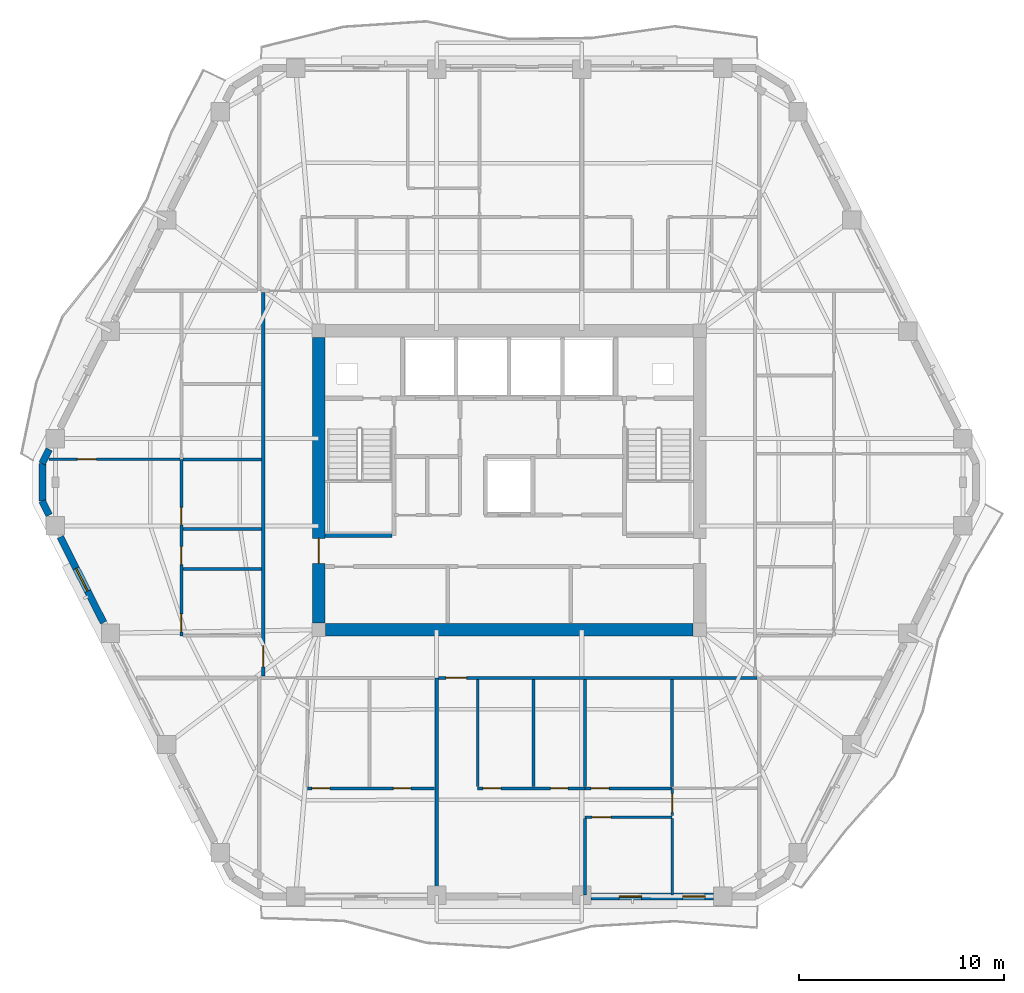
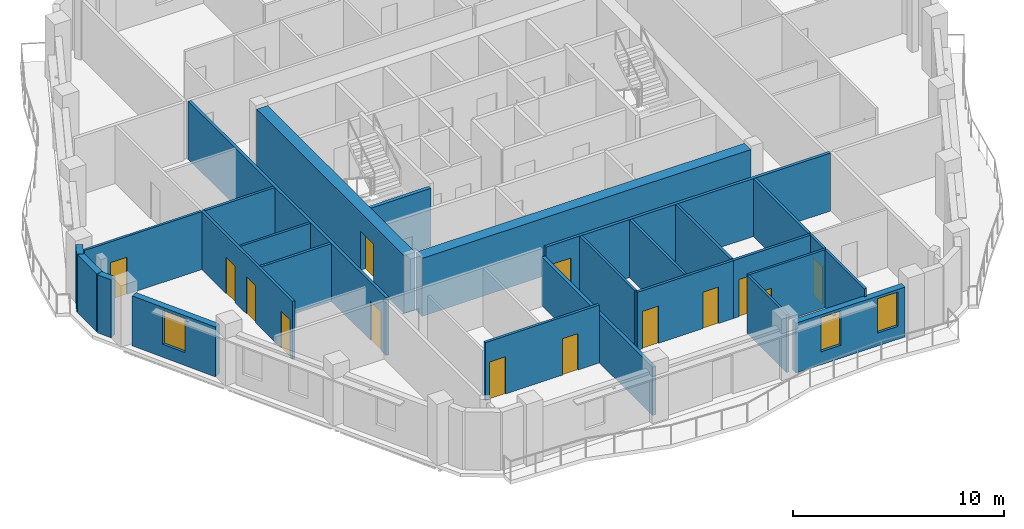
# One storey, part 4 of 11: 27 walls, 14 doors, 3 windows, 17 openings.
"""IFC4 building model written with IfcOpenShell, lengths in metres."""

from ifc_helpers import new_model, si_unit, direction, frame, frame_2d, origin, place, context, subcontext, project, spatial, rectangle, extrude, material, layer, layer_set, type_object, element, fill, save


model = new_model("IFC4")

# Units and contexts
model_context = context("Model", 3, precision=1e-05, world=origin(), true_north=direction((0.0, 1.0)))
body_context = subcontext(model_context, "Body", "Model", "MODEL_VIEW")
ifc_project = project(units=[si_unit("LENGTHUNIT", "METRE"), si_unit("AREAUNIT", "SQUARE_METRE"), si_unit("VOLUMEUNIT", "CUBIC_METRE"), si_unit("PLANEANGLEUNIT", "RADIAN"), si_unit("MASSUNIT", "GRAM", prefix="KILO")], contexts=[model_context])

# Site, building, storey
site_placement = place(None, origin())
site = spatial("IfcSite", under=ifc_project, at=site_placement, CompositionType="ELEMENT")
building_placement = place(site_placement, origin())
building = spatial("IfcBuilding", under=site, at=building_placement, Name="Cinnabar Lancet Tower", CompositionType="ELEMENT")
storey_placement = place(building_placement, frame((0.0, 0.0, 182.550048828125)))
storey = spatial("IfcBuildingStorey", under=building, at=storey_placement, Name="L48", CompositionType="ELEMENT", Elevation=182.550048828125)

# Wall, opening, door
ifc_material_1 = material(Name="Acoustic twin-stud gypsum partition", Category="gypsum")
ifc_layer_1 = layer(ifc_material_1, 0.159912109375)
ifc_layer_set_1 = layer_set([ifc_layer_1], Name="Acoustic twin-stud gypsum partition")
wall_type_1 = type_object("IfcWallType", Name="ARC-WL-CORR-160", PredefinedType="PARTITIONING", material=ifc_layer_set_1)
wall_1_placement = place(storey_placement, frame((28.951904296875, 16.25, 0.0), z_axis=(0.0, 0.0, 1.0), x_axis=(1.0, 0.0, 0.0)))
wall_1 = element("IfcWall", 1, at=wall_1_placement, inside=storey, type_object=wall_type_1, Name="L48 Unit S02 Corridor Wall", PredefinedType="PARTITIONING", context=body_context, shape_type="SweptSolid", body=[
    extrude(rectangle(XDim=15.552978515625, YDim=0.159912109375, at=frame_2d((7.7763671875, 0.0))), origin(), (0.0, 0.0, 1.0), 3.349853515625),
])
opening_1_placement = place(wall_1_placement, frame((0.35498046875, 0.0, 0.0)))
opening_1 = element("IfcOpeningElement", 2, at=opening_1_placement, cuts=wall_1, Name="Opening UD-01", PredefinedType="OPENING", context=body_context, shape_type="SweptSolid", body=[
    extrude(rectangle(XDim=1.02001953125, YDim=2.25, at=frame_2d((0.510009765625, 1.125))), frame((0.0, 0.08984375, 0.0), z_axis=(0.0, -1.0, 0.0), x_axis=(1.0, 0.0, 0.0)), (0.0, 0.0, 1.0), 0.179931640625),
])
ifc_material_2 = material(Name="Solid timber fire-rated apartment entrance door", Category="wood")
door_type_1 = type_object("IfcDoorType", Name="ARC-DR-UNIT", OperationType="NOTDEFINED", PredefinedType="DOOR", material=ifc_material_2)
door_1_placement = place(opening_1_placement, origin())
door_1 = element("IfcDoor", 3, at=door_1_placement, inside=storey, type_object=door_type_1, Name="DR-L48-S02-ENT", OperationType="SINGLE_SWING_LEFT", OverallHeight=2.25, OverallWidth=1.02001953125, PredefinedType="DOOR", context=body_context, shape_type="SweptSolid", body=[
    extrude(rectangle(XDim=1.02001953125, YDim=2.25, at=frame_2d((0.510009765625, 1.125))), frame((0.0, 0.02490234375, 0.0), z_axis=(0.0, -1.0, 0.0), x_axis=(1.0, 0.0, 0.0)), (0.0, 0.0, 1.0), 0.050048828125),
])
fill(opening_1, door_1)

wall_2_placement = place(storey_placement, frame((20.39990234375, 16.344970703125, 0.0), z_axis=(0.0, 0.0, 1.0), x_axis=(0.0, 1.0, 0.0)))
wall_2 = element("IfcWall", 4, at=wall_2_placement, inside=storey, type_object=wall_type_1, Name="UW-L48-W01-COR", PredefinedType="PARTITIONING", context=body_context, shape_type="SweptSolid", body=[
    extrude(rectangle(XDim=18.7099609375, YDim=0.159912109375, at=frame_2d((9.35498046875, 0.0))), origin(), (0.0, 0.0, 1.0), 3.349853515625),
])
opening_2_placement = place(wall_2_placement, frame((0.449951171875, 0.0, 0.0)))
opening_2 = element("IfcOpeningElement", 5, at=opening_2_placement, cuts=wall_2, Name="Opening UD-01", PredefinedType="OPENING", context=body_context, shape_type="SweptSolid", body=[
    extrude(rectangle(XDim=1.02001953125, YDim=2.25, at=frame_2d((0.510009765625, 1.125))), frame((0.0, 0.08984375, 0.0), z_axis=(0.0, -1.0, 0.0), x_axis=(1.0, 0.0, 0.0)), (0.0, 0.0, 1.0), 0.179931640625),
])
door_2_placement = place(opening_2_placement, origin())
door_2 = element("IfcDoor", 6, at=door_2_placement, inside=storey, type_object=door_type_1, Name="DR-L48-W01-ENT", OperationType="SINGLE_SWING_RIGHT", OverallHeight=2.25, OverallWidth=1.02001953125, PredefinedType="DOOR", context=body_context, shape_type="SweptSolid", body=[
    extrude(rectangle(XDim=1.02001953125, YDim=2.25, at=frame_2d((0.510009765625, 1.125))), frame((0.0, 0.02490234375, 0.0), z_axis=(0.0, -1.0, 0.0), x_axis=(1.0, 0.0, 0.0)), (0.0, 0.0, 1.0), 0.050048828125),
])
fill(opening_2, door_2)

# Walls
ifc_material_3 = material(Name="Fire-rated twin-frame acoustic drywall", Category="gypsum")
ifc_layer_2 = layer(ifc_material_3, 0.179931640625)
ifc_layer_set_2 = layer_set([ifc_layer_2], Name="Fire-rated twin-frame acoustic drywall")
wall_type_2 = type_object("IfcWallType", Name="ARC-WL-PARTY-180", PredefinedType="PARTITIONING", material=ifc_layer_set_2)
wall_3_placement = place(storey_placement, frame((28.85693359375, 5.7548828125, 0.0), z_axis=(0.0, 0.0, 1.0), x_axis=(0.0, 1.0, 0.0)))
element("IfcWall", 7, at=wall_3_placement, inside=storey, type_object=wall_type_2, Name="PW-L48-SPTY-289", PredefinedType="PARTITIONING", context=body_context, shape_type="SweptSolid", body=[
    extrude(rectangle(XDim=10.4951171875, YDim=0.179931640625, at=frame_2d((5.24755859375, 0.0))), origin(), (0.0, 0.0, 1.0), 2.806884765625),
])
ifc_material_4 = material(Name="Autoclaved aerated concrete blockwork", Category="masonry")
ifc_layer_3 = layer(ifc_material_4, 0.199951171875)
ifc_layer_set_3 = layer_set([ifc_layer_3], Name="Autoclaved aerated concrete blockwork")
wall_type_3 = type_object("IfcWallType", Name="ARC-WL-SHAFT-200", PredefinedType="PLUMBINGWALL", material=ifc_layer_set_3)
wall_4_placement = place(storey_placement, frame((23.405029296875, 23.199951171875, 0.0), z_axis=(0.0, 0.0, 1.0), x_axis=(1.0, 0.0, 0.0)))
element("IfcWall", 8, at=wall_4_placement, inside=storey, type_object=wall_type_3, Name="CW-ST1S-L48", PredefinedType="PLUMBINGWALL", context=body_context, shape_type="SweptSolid", body=[
    extrude(rectangle(XDim=3.27001953125, YDim=0.199951171875, at=frame_2d((1.635009765625, 0.0))), origin(), (0.0, 0.0, 1.0), 3.349853515625),
])
ifc_material_5 = material(Name="Gypsum plasterboard stud partition", Category="gypsum")
ifc_layer_4 = layer(ifc_material_5, 0.125)
ifc_layer_set_4 = layer_set([ifc_layer_4], Name="Gypsum plasterboard stud partition")
wall_type_4 = type_object("IfcWallType", Name="ARC-WL-UNIT-125", PredefinedType="PARTITIONING", material=ifc_layer_set_4)
wall_5_placement = place(storey_placement, frame((30.85693359375, 10.9609375, 0.0), z_axis=(0.0, 0.0, 1.0), x_axis=(0.0, 1.0, 0.0)))
element("IfcWall", 9, at=wall_5_placement, inside=storey, type_object=wall_type_4, Name="UW-L48-S02-FOYE", PredefinedType="PARTITIONING", context=body_context, shape_type="SweptSolid", body=[
    extrude(rectangle(XDim=5.2041015625, YDim=0.125, at=frame_2d((2.60205078125, 0.0))), origin(), (0.0, 0.0, 1.0), 3.349853515625),
])
wall_6_placement = place(storey_placement, frame((36.09912109375, 5.6650390625, 0.0), z_axis=(0.0, 0.0, 1.0), x_axis=(0.0, 1.0, 0.0)))
element("IfcWall", 10, at=wall_6_placement, inside=storey, type_object=wall_type_4, Name="UW-L48-S02-BD2W", PredefinedType="PARTITIONING", context=body_context, shape_type="SweptSolid", body=[
    extrude(rectangle(XDim=3.72607421875, YDim=0.125, at=frame_2d((1.863037109375, 0.0))), origin(), (0.0, 0.0, 1.0), 3.349853515625),
])

# Wall, opening, door
wall_7_placement = place(storey_placement, frame((36.09912109375, 9.4560546875, 0.0), z_axis=(0.0, 0.0, 1.0), x_axis=(1.0, 0.0, 0.0)))
wall_7 = element("IfcWall", 11, at=wall_7_placement, inside=storey, type_object=wall_type_4, Name="UW-L48-S02-HLN", PredefinedType="PARTITIONING", context=body_context, shape_type="SweptSolid", body=[
    extrude(rectangle(XDim=4.25, YDim=0.125, at=frame_2d((2.125, 0.0))), origin(), (0.0, 0.0, 1.0), 3.349853515625),
])
opening_3_placement = place(wall_7_placement, frame((0.35009765625, 0.0, 0.0)))
opening_3 = element("IfcOpeningElement", 12, at=opening_3_placement, cuts=wall_7, Name="Opening RD-01", PredefinedType="OPENING", context=body_context, shape_type="SweptSolid", body=[
    extrude(rectangle(XDim=0.919921875, YDim=2.14990234375, at=frame_2d((0.4599609375, 1.074951171875))), frame((0.0, 0.072509765625, 0.0), z_axis=(0.0, -1.0, 0.0), x_axis=(1.0, 0.0, 0.0)), (0.0, 0.0, 1.0), 0.14501953125),
])
ifc_material_6 = material(Name="Engineered timber bedroom door", Category="wood")
door_type_2 = type_object("IfcDoorType", Name="ARC-DR-ROOM", OperationType="NOTDEFINED", PredefinedType="DOOR", material=ifc_material_6)
door_3_placement = place(opening_3_placement, origin())
door_3 = element("IfcDoor", 13, at=door_3_placement, inside=storey, type_object=door_type_2, Name="DR-L48-S02-BD2", OperationType="SINGLE_SWING_RIGHT", OverallHeight=2.14990234375, OverallWidth=0.919921875, PredefinedType="DOOR", context=body_context, shape_type="SweptSolid", body=[
    extrude(rectangle(XDim=0.919921875, YDim=2.14990234375, at=frame_2d((0.4599609375, 1.074951171875))), frame((0.0, 0.02490234375, 0.0), z_axis=(0.0, -1.0, 0.0), x_axis=(1.0, 0.0, 0.0)), (0.0, 0.0, 1.0), 0.050048828125),
])
fill(opening_3, door_3)

wall_8_placement = place(storey_placement, frame((40.34912109375, 9.52587890625, 0.0), z_axis=(0.0, 0.0, 1.0), x_axis=(0.0, 1.0, 0.0)))
wall_8 = element("IfcWall", 14, at=wall_8_placement, inside=storey, type_object=wall_type_4, Name="UW-L48-S02-MBE", PredefinedType="PARTITIONING", context=body_context, shape_type="SweptSolid", body=[
    extrude(rectangle(XDim=1.330078125, YDim=0.125, at=frame_2d((0.6650390625, 0.0))), origin(), (0.0, 0.0, 1.0), 3.349853515625),
])
opening_4_placement = place(wall_8_placement, frame((0.159912109375, 0.0, 0.0)))
opening_4 = element("IfcOpeningElement", 15, at=opening_4_placement, cuts=wall_8, Name="Opening RD-01", PredefinedType="OPENING", context=body_context, shape_type="SweptSolid", body=[
    extrude(rectangle(XDim=0.919921875, YDim=2.14990234375, at=frame_2d((0.4599609375, 1.074951171875))), frame((0.0, 0.072509765625, 0.0), z_axis=(0.0, -1.0, 0.0), x_axis=(1.0, 0.0, 0.0)), (0.0, 0.0, 1.0), 0.14501953125),
])
door_4_placement = place(opening_4_placement, origin())
door_4 = element("IfcDoor", 16, at=door_4_placement, inside=storey, type_object=door_type_2, Name="DR-L48-S02-MBD", OperationType="SINGLE_SWING_RIGHT", OverallHeight=2.14990234375, OverallWidth=0.919921875, PredefinedType="DOOR", context=body_context, shape_type="SweptSolid", body=[
    extrude(rectangle(XDim=0.919921875, YDim=2.14990234375, at=frame_2d((0.4599609375, 1.074951171875))), frame((0.0, 0.02490234375, 0.0), z_axis=(0.0, -1.0, 0.0), x_axis=(1.0, 0.0, 0.0)), (0.0, 0.0, 1.0), 0.050048828125),
])
fill(opening_4, door_4)

# Wall
wall_9_placement = place(storey_placement, frame((40.34912109375, 5.6650390625, 0.0), z_axis=(0.0, 0.0, 1.0), x_axis=(0.0, 1.0, 0.0)))
element("IfcWall", 17, at=wall_9_placement, inside=storey, type_object=wall_type_4, Name="UW-L48-S02-MB2W", PredefinedType="PARTITIONING", context=body_context, shape_type="SweptSolid", body=[
    extrude(rectangle(XDim=3.72607421875, YDim=0.125, at=frame_2d((1.863037109375, 0.0))), origin(), (0.0, 0.0, 1.0), 3.349853515625),
])

# Wall, opening, door
wall_10_placement = place(storey_placement, frame((9.928955078125, 26.9169921875, 0.0), z_axis=(0.0, 0.0, 1.0), x_axis=(1.0, 0.0, 0.0)))
wall_10 = element("IfcWall", 18, at=wall_10_placement, inside=storey, type_object=wall_type_4, Name="UW-L48-W01-MBN", PredefinedType="PARTITIONING", context=body_context, shape_type="SweptSolid", body=[
    extrude(rectangle(XDim=6.39599609375, YDim=0.125, at=frame_2d((3.197998046875, 0.0))), origin(), (0.0, 0.0, 1.0), 3.349853515625),
])
opening_5_placement = place(wall_10_placement, frame((1.39990234375, 0.0, 0.0)))
opening_5 = element("IfcOpeningElement", 19, at=opening_5_placement, cuts=wall_10, Name="Opening RD-01", PredefinedType="OPENING", context=body_context, shape_type="SweptSolid", body=[
    extrude(rectangle(XDim=0.919921875, YDim=2.14990234375, at=frame_2d((0.4599609375, 1.074951171875))), frame((0.0, 0.072509765625, 0.0), z_axis=(0.0, -1.0, 0.0), x_axis=(1.0, 0.0, 0.0)), (0.0, 0.0, 1.0), 0.14501953125),
])
door_5_placement = place(opening_5_placement, origin())
door_5 = element("IfcDoor", 20, at=door_5_placement, inside=storey, type_object=door_type_2, Name="DR-L48-W01-MBD", OperationType="SINGLE_SWING_RIGHT", OverallHeight=2.14990234375, OverallWidth=0.919921875, PredefinedType="DOOR", context=body_context, shape_type="SweptSolid", body=[
    extrude(rectangle(XDim=0.919921875, YDim=2.14990234375, at=frame_2d((0.4599609375, 1.074951171875))), frame((0.0, 0.02490234375, 0.0), z_axis=(0.0, -1.0, 0.0), x_axis=(1.0, 0.0, 0.0)), (0.0, 0.0, 1.0), 0.050048828125),
])
fill(opening_5, door_5)

# Wall
wall_11_placement = place(storey_placement, frame((16.485107421875, 23.51708984375, 0.0), z_axis=(0.0, 0.0, 1.0), x_axis=(1.0, 0.0, 0.0)))
element("IfcWall", 21, at=wall_11_placement, inside=storey, type_object=wall_type_4, Name="UW-L48-W01-UDV", PredefinedType="PARTITIONING", context=body_context, shape_type="SweptSolid", body=[
    extrude(rectangle(XDim=3.829833984375, YDim=0.125, at=frame_2d((1.9150390625, 0.0))), origin(), (0.0, 0.0, 1.0), 3.349853515625),
])

# Wall, openings, doors
ifc_material_7 = material(Name="Moisture-resistant cement-board plumbing wall", Category="masonry")
ifc_layer_5 = layer(ifc_material_7, 0.139892578125)
ifc_layer_set_5 = layer_set([ifc_layer_5], Name="Moisture-resistant cement-board plumbing wall")
wall_type_5 = type_object("IfcWallType", Name="ARC-WL-WET-140", PredefinedType="PLUMBINGWALL", material=ifc_layer_set_5)
wall_12_placement = place(storey_placement, frame((22.550048828125, 10.85595703125, 0.0), z_axis=(0.0, 0.0, 1.0), x_axis=(1.0, 0.0, 0.0)))
wall_12 = element("IfcWall", 22, at=wall_12_placement, inside=storey, type_object=wall_type_5, Name="UW-L48-S01-SPL", PredefinedType="PLUMBINGWALL", context=body_context, shape_type="SweptSolid", body=[
    extrude(rectangle(XDim=6.2119140625, YDim=0.139892578125, at=frame_2d((3.10595703125, 0.0))), origin(), (0.0, 0.0, 1.0), 3.349853515625),
])
opening_6_placement = place(wall_12_placement, frame((4.195068359375, 0.0, 0.0)))
opening_6 = element("IfcOpeningElement", 23, at=opening_6_placement, cuts=wall_12, Name="Opening BD-01", PredefinedType="OPENING", context=body_context, shape_type="SweptSolid", body=[
    extrude(rectangle(XDim=0.860107421875, YDim=2.10009765625, at=frame_2d((0.43017578125, 1.050048828125))), frame((0.0, 0.079833984375, 0.0), z_axis=(0.0, -1.0, 0.0), x_axis=(1.0, 0.0, 0.0)), (0.0, 0.0, 1.0), 0.159912109375),
])
opening_7_placement = place(wall_12_placement, frame((0.219970703125, 0.0, 0.0)))
opening_7 = element("IfcOpeningElement", 24, at=opening_7_placement, cuts=wall_12, Name="Opening RD-02", PredefinedType="OPENING", context=body_context, shape_type="SweptSolid", body=[
    extrude(rectangle(XDim=0.8798828125, YDim=2.14990234375, at=frame_2d((0.43994140625, 1.074951171875))), frame((0.0, 0.079833984375, 0.0), z_axis=(0.0, -1.0, 0.0), x_axis=(1.0, 0.0, 0.0)), (0.0, 0.0, 1.0), 0.159912109375),
])
ifc_material_8 = material(Name="Moisture-resistant timber bathroom door", Category="wood")
door_type_3 = type_object("IfcDoorType", Name="ARC-DR-BATH", OperationType="NOTDEFINED", PredefinedType="DOOR", material=ifc_material_8)
door_6_placement = place(opening_6_placement, origin())
door_6 = element("IfcDoor", 25, at=door_6_placement, inside=storey, type_object=door_type_3, Name="DR-L48-S01-BTH", OperationType="SINGLE_SWING_RIGHT", OverallHeight=2.10009765625, OverallWidth=0.860107421875, PredefinedType="DOOR", context=body_context, shape_type="SweptSolid", body=[
    extrude(rectangle(XDim=0.860107421875, YDim=2.10009765625, at=frame_2d((0.43017578125, 1.050048828125))), frame((0.0, 0.02490234375, 0.0), z_axis=(0.0, -1.0, 0.0), x_axis=(1.0, 0.0, 0.0)), (0.0, 0.0, 1.0), 0.050048828125),
])
fill(opening_6, door_6)
ifc_material_9 = material(Name="Engineered timber study door", Category="wood")
door_type_4 = type_object("IfcDoorType", Name="ARC-DR-STUDY", OperationType="NOTDEFINED", PredefinedType="DOOR", material=ifc_material_9)
door_7_placement = place(opening_7_placement, origin())
door_7 = element("IfcDoor", 26, at=door_7_placement, inside=storey, type_object=door_type_4, Name="DR-L48-S01-KIT", OperationType="SINGLE_SWING_LEFT", OverallHeight=2.14990234375, OverallWidth=0.8798828125, PredefinedType="DOOR", context=body_context, shape_type="SweptSolid", body=[
    extrude(rectangle(XDim=0.8798828125, YDim=2.14990234375, at=frame_2d((0.43994140625, 1.074951171875))), frame((0.0, 0.02490234375, 0.0), z_axis=(0.0, -1.0, 0.0), x_axis=(1.0, 0.0, 0.0)), (0.0, 0.0, 1.0), 0.050048828125),
])
fill(opening_7, door_7)

wall_13_placement = place(storey_placement, frame((30.85693359375, 10.85595703125, 0.0), z_axis=(0.0, 0.0, 1.0), x_axis=(1.0, 0.0, 0.0)))
wall_13 = element("IfcWall", 27, at=wall_13_placement, inside=storey, type_object=wall_type_5, Name="UW-L48-S02-SPL", PredefinedType="PLUMBINGWALL", context=body_context, shape_type="SweptSolid", body=[
    extrude(rectangle(XDim=5.2421875, YDim=0.139892578125, at=frame_2d((2.62109375, 0.0))), origin(), (0.0, 0.0, 1.0), 3.349853515625),
])
opening_8_placement = place(wall_13_placement, frame((3.55908203125, 0.0, 0.0)))
opening_8 = element("IfcOpeningElement", 28, at=opening_8_placement, cuts=wall_13, Name="Opening BD-01", PredefinedType="OPENING", context=body_context, shape_type="SweptSolid", body=[
    extrude(rectangle(XDim=0.860107421875, YDim=2.10009765625, at=frame_2d((0.43017578125, 1.050048828125))), frame((0.0, 0.079833984375, 0.0), z_axis=(0.0, -1.0, 0.0), x_axis=(1.0, 0.0, 0.0)), (0.0, 0.0, 1.0), 0.159912109375),
])
opening_9_placement = place(wall_13_placement, frame((0.260009765625, 0.0, 0.0)))
opening_9 = element("IfcOpeningElement", 29, at=opening_9_placement, cuts=wall_13, Name="Opening RD-02", PredefinedType="OPENING", context=body_context, shape_type="SweptSolid", body=[
    extrude(rectangle(XDim=0.8798828125, YDim=2.14990234375, at=frame_2d((0.43994140625, 1.074951171875))), frame((0.0, 0.079833984375, 0.0), z_axis=(0.0, -1.0, 0.0), x_axis=(1.0, 0.0, 0.0)), (0.0, 0.0, 1.0), 0.159912109375),
])
door_8_placement = place(opening_8_placement, origin())
door_8 = element("IfcDoor", 30, at=door_8_placement, inside=storey, type_object=door_type_3, Name="DR-L48-S02-BTH", OperationType="SINGLE_SWING_LEFT", OverallHeight=2.10009765625, OverallWidth=0.860107421875, PredefinedType="DOOR", context=body_context, shape_type="SweptSolid", body=[
    extrude(rectangle(XDim=0.860107421875, YDim=2.10009765625, at=frame_2d((0.43017578125, 1.050048828125))), frame((0.0, 0.02490234375, 0.0), z_axis=(0.0, -1.0, 0.0), x_axis=(1.0, 0.0, 0.0)), (0.0, 0.0, 1.0), 0.050048828125),
])
fill(opening_8, door_8)
door_9_placement = place(opening_9_placement, origin())
door_9 = element("IfcDoor", 31, at=door_9_placement, inside=storey, type_object=door_type_4, Name="DR-L48-S02-KIT", OperationType="SINGLE_SWING_RIGHT", OverallHeight=2.14990234375, OverallWidth=0.8798828125, PredefinedType="DOOR", context=body_context, shape_type="SweptSolid", body=[
    extrude(rectangle(XDim=0.8798828125, YDim=2.14990234375, at=frame_2d((0.43994140625, 1.074951171875))), frame((0.0, 0.02490234375, 0.0), z_axis=(0.0, -1.0, 0.0), x_axis=(1.0, 0.0, 0.0)), (0.0, 0.0, 1.0), 0.050048828125),
])
fill(opening_9, door_9)

# Wall, opening, door
wall_14_placement = place(storey_placement, frame((36.09912109375, 10.85595703125, 0.0), z_axis=(0.0, 0.0, 1.0), x_axis=(1.0, 0.0, 0.0)))
wall_14 = element("IfcWall", 32, at=wall_14_placement, inside=storey, type_object=wall_type_5, Name="UW-L48-S02-SPM", PredefinedType="PLUMBINGWALL", context=body_context, shape_type="SweptSolid", body=[
    extrude(rectangle(XDim=4.25, YDim=0.139892578125, at=frame_2d((2.125, 0.0))), origin(), (0.0, 0.0, 1.0), 3.349853515625),
])
opening_10_placement = place(wall_14_placement, frame((0.300048828125, 0.0, 0.0)))
opening_10 = element("IfcOpeningElement", 33, at=opening_10_placement, cuts=wall_14, Name="Opening RD-02", PredefinedType="OPENING", context=body_context, shape_type="SweptSolid", body=[
    extrude(rectangle(XDim=0.8798828125, YDim=2.14990234375, at=frame_2d((0.43994140625, 1.074951171875))), frame((0.0, 0.079833984375, 0.0), z_axis=(0.0, -1.0, 0.0), x_axis=(1.0, 0.0, 0.0)), (0.0, 0.0, 1.0), 0.159912109375),
])
door_10_placement = place(opening_10_placement, origin())
door_10 = element("IfcDoor", 34, at=door_10_placement, inside=storey, type_object=door_type_4, Name="DR-L48-S02-UTL", OperationType="SINGLE_SWING_LEFT", OverallHeight=2.14990234375, OverallWidth=0.8798828125, PredefinedType="DOOR", context=body_context, shape_type="SweptSolid", body=[
    extrude(rectangle(XDim=0.8798828125, YDim=2.14990234375, at=frame_2d((0.43994140625, 1.074951171875))), frame((0.0, 0.02490234375, 0.0), z_axis=(0.0, -1.0, 0.0), x_axis=(1.0, 0.0, 0.0)), (0.0, 0.0, 1.0), 0.050048828125),
])
fill(opening_10, door_10)

# Walls
for number, where, z_axis, x_axis, name in (
    (35, (33.5830078125, 10.9609375, 0.0), (0.0, 0.0, 1.0), (0.0, 1.0, 0.0), "UW-L48-S02-KDV"),
    (36, (36.09912109375, 10.9609375, 0.0), (0.0, 0.0, 1.0), (0.0, 1.0, 0.0), "UW-L48-S02-ENSW"),
    (37, (40.34912109375, 10.9609375, 0.0), (0.0, 0.0, 1.0), (0.0, 1.0, 0.0), "UW-L48-S02-ENSE"),
):
    element("IfcWall", number, at=place(storey_placement, frame(where, z_axis=z_axis, x_axis=x_axis)), inside=storey, type_object=wall_type_5, Name=name, PredefinedType="PLUMBINGWALL", context=body_context, shape_type="SweptSolid", body=[
        extrude(rectangle(XDim=5.2041015625, YDim=0.139892578125, at=frame_2d((2.60205078125, 0.0))), origin(), (0.0, 0.0, 1.0), 3.349853515625),
    ])

# Wall, openings, doors
wall_15_placement = place(storey_placement, frame((16.39990234375, 18.300048828125, 0.0), z_axis=(0.0, 0.0, 1.0), x_axis=(0.0, 1.0, 0.0)))
wall_15 = element("IfcWall", 38, at=wall_15_placement, inside=storey, type_object=wall_type_5, Name="UW-L48-W01-SPL", PredefinedType="PLUMBINGWALL", context=body_context, shape_type="SweptSolid", body=[
    extrude(rectangle(XDim=8.616943359375, YDim=0.139892578125, at=frame_2d((4.30859375, 0.0))), origin(), (0.0, 0.0, 1.0), 3.349853515625),
])
opening_11_placement = place(wall_15_placement, frame((0.199951171875, 0.0, 0.0)))
opening_11 = element("IfcOpeningElement", 39, at=opening_11_placement, cuts=wall_15, Name="Opening RD-02", PredefinedType="OPENING", context=body_context, shape_type="SweptSolid", body=[
    extrude(rectangle(XDim=0.8798828125, YDim=2.14990234375, at=frame_2d((0.43994140625, 1.074951171875))), frame((0.0, 0.079833984375, 0.0), z_axis=(0.0, -1.0, 0.0), x_axis=(1.0, 0.0, 0.0)), (0.0, 0.0, 1.0), 0.159912109375),
])
opening_12_placement = place(wall_15_placement, frame((3.47412109375, 0.0, 0.0)))
opening_12 = element("IfcOpeningElement", 40, at=opening_12_placement, cuts=wall_15, Name="Opening RD-02", PredefinedType="OPENING", context=body_context, shape_type="SweptSolid", body=[
    extrude(rectangle(XDim=0.8798828125, YDim=2.14990234375, at=frame_2d((0.43994140625, 1.074951171875))), frame((0.0, 0.079833984375, 0.0), z_axis=(0.0, -1.0, 0.0), x_axis=(1.0, 0.0, 0.0)), (0.0, 0.0, 1.0), 0.159912109375),
])
opening_13_placement = place(wall_15_placement, frame((5.4169921875, 0.0, 0.0)))
opening_13 = element("IfcOpeningElement", 41, at=opening_13_placement, cuts=wall_15, Name="Opening BD-01", PredefinedType="OPENING", context=body_context, shape_type="SweptSolid", body=[
    extrude(rectangle(XDim=0.860107421875, YDim=2.10009765625, at=frame_2d((0.43017578125, 1.050048828125))), frame((0.0, 0.079833984375, 0.0), z_axis=(0.0, -1.0, 0.0), x_axis=(1.0, 0.0, 0.0)), (0.0, 0.0, 1.0), 0.159912109375),
])
door_11_placement = place(opening_13_placement, origin())
door_11 = element("IfcDoor", 42, at=door_11_placement, inside=storey, type_object=door_type_3, Name="DR-L48-W01-BTH", OperationType="SINGLE_SWING_LEFT", OverallHeight=2.10009765625, OverallWidth=0.860107421875, PredefinedType="DOOR", context=body_context, shape_type="SweptSolid", body=[
    extrude(rectangle(XDim=0.860107421875, YDim=2.10009765625, at=frame_2d((0.43017578125, 1.050048828125))), frame((0.0, 0.02490234375, 0.0), z_axis=(0.0, -1.0, 0.0), x_axis=(1.0, 0.0, 0.0)), (0.0, 0.0, 1.0), 0.050048828125),
])
fill(opening_13, door_11)
door_12_placement = place(opening_11_placement, origin())
door_12 = element("IfcDoor", 43, at=door_12_placement, inside=storey, type_object=door_type_4, Name="DR-L48-W01-KIT", OperationType="SINGLE_SWING_LEFT", OverallHeight=2.14990234375, OverallWidth=0.8798828125, PredefinedType="DOOR", context=body_context, shape_type="SweptSolid", body=[
    extrude(rectangle(XDim=0.8798828125, YDim=2.14990234375, at=frame_2d((0.43994140625, 1.074951171875))), frame((0.0, 0.02490234375, 0.0), z_axis=(0.0, -1.0, 0.0), x_axis=(1.0, 0.0, 0.0)), (0.0, 0.0, 1.0), 0.050048828125),
])
fill(opening_11, door_12)
door_13_placement = place(opening_12_placement, origin())
door_13 = element("IfcDoor", 44, at=door_13_placement, inside=storey, type_object=door_type_4, Name="DR-L48-W01-UTL", OperationType="SINGLE_SWING_RIGHT", OverallHeight=2.14990234375, OverallWidth=0.8798828125, PredefinedType="DOOR", context=body_context, shape_type="SweptSolid", body=[
    extrude(rectangle(XDim=0.8798828125, YDim=2.14990234375, at=frame_2d((0.43994140625, 1.074951171875))), frame((0.0, 0.02490234375, 0.0), z_axis=(0.0, -1.0, 0.0), x_axis=(1.0, 0.0, 0.0)), (0.0, 0.0, 1.0), 0.050048828125),
])
fill(opening_12, door_13)

# Walls
for number, where, z_axis, x_axis, name in (
    (45, (16.485107421875, 26.9169921875, 0.0), (0.0, 0.0, 1.0), (1.0, 0.0, 0.0), "UW-L48-W01-ENSN"),
    (46, (16.485107421875, 21.573974609375, 0.0), (0.0, 0.0, 1.0), (1.0, 0.0, 0.0), "UW-L48-W01-KDV"),
):
    element("IfcWall", number, at=place(storey_placement, frame(where, z_axis=z_axis, x_axis=x_axis)), inside=storey, type_object=wall_type_5, Name=name, PredefinedType="PLUMBINGWALL", context=body_context, shape_type="SweptSolid", body=[
        extrude(rectangle(XDim=3.829833984375, YDim=0.139892578125, at=frame_2d((1.9150390625, 0.0))), origin(), (0.0, 0.0, 1.0), 3.349853515625),
    ])
ifc_material_10 = material(Name="Cinnabar red clay brick", Category="masonry")
ifc_layer_6 = layer(ifc_material_10, 0.340087890625)
ifc_layer_set_6 = layer_set([ifc_layer_6], Name="Cinnabar red clay brick")
wall_type_6 = type_object("IfcWallType", Name="ENV-WL-BRK-RED-340", PredefinedType="STANDARD", material=ifc_layer_set_6)
wall_16_placement = place(storey_placement, frame((9.6220703125, 26.7080078125, 0.0), z_axis=(0.0, 0.0, 1.0), x_axis=(0.0, -1.0, 0.0)))
element("IfcWall", 47, at=wall_16_placement, inside=storey, type_object=wall_type_6, Name="L48 Chamfered Corner Brick Pier 6.1", PredefinedType="STANDARD", context=body_context, shape_type="SweptSolid", body=[
    extrude(rectangle(XDim=1.81591796875, YDim=0.340087890625, at=frame_2d((0.907958984375, 0.0))), origin(), (0.0, 0.0, 1.0), 3.349853515625),
])

# Wall, openings, windows
wall_17_placement = place(storey_placement, frame((36.39697265625, 5.580078125, 0.0), z_axis=(0.0, 0.0, 1.0), x_axis=(1.0, 0.0, 0.0)))
wall_17 = element("IfcWall", 48, at=wall_17_placement, inside=storey, type_object=wall_type_6, Name="L48 Face 1 Masonry Bay Wall 4", PredefinedType="STANDARD", context=body_context, shape_type="SweptSolid", body=[
    extrude(rectangle(XDim=5.969970703125, YDim=0.340087890625, at=frame_2d((2.98486328125, 0.0))), origin(), (0.0, 0.0, 1.0), 2.883056640625),
])
opening_14_placement = place(wall_17_placement, frame((1.3701171875, 0.0, 0.75)))
opening_14 = element("IfcOpeningElement", 49, at=opening_14_placement, cuts=wall_17, Name="Opening WN-04", PredefinedType="OPENING", context=body_context, shape_type="SweptSolid", body=[
    extrude(rectangle(XDim=1.10009765625, YDim=1.98291015625, at=frame_2d((0.550048828125, 0.991455078125))), frame((0.0, 0.179931640625, 0.0), z_axis=(0.0, -1.0, 0.0), x_axis=(1.0, 0.0, 0.0)), (0.0, 0.0, 1.0), 0.360107421875),
])
opening_15_placement = place(wall_17_placement, frame((4.467041015625, 0.0, 0.75)))
opening_15 = element("IfcOpeningElement", 50, at=opening_15_placement, cuts=wall_17, Name="Opening WN-04", PredefinedType="OPENING", context=body_context, shape_type="SweptSolid", body=[
    extrude(rectangle(XDim=1.10009765625, YDim=1.98291015625, at=frame_2d((0.550048828125, 0.991455078125))), frame((0.0, 0.179931640625, 0.0), z_axis=(0.0, -1.0, 0.0), x_axis=(1.0, 0.0, 0.0)), (0.0, 0.0, 1.0), 0.360107421875),
])
ifc_material_11 = material(Name="Thermally broken bronze-anodized aluminium tall lancet window", Category="aluminium")
window_type_1 = type_object("IfcWindowType", Name="ENV-WN-LANCET-1100", PartitioningType="SINGLE_PANEL", PredefinedType="WINDOW", material=ifc_material_11)
window_1_placement = place(opening_14_placement, origin())
window_1 = element("IfcWindow", 51, at=window_1_placement, inside=storey, type_object=window_type_1, Name="L48 Face 1 Gothic Lancet Window 4", OverallHeight=1.98291015625, OverallWidth=1.10009765625, PartitioningType="SINGLE_PANEL", PredefinedType="WINDOW", context=body_context, shape_type="SweptSolid", body=[
    extrude(rectangle(XDim=1.10009765625, YDim=1.98291015625, at=frame_2d((0.550048828125, 0.991455078125))), frame((0.0, 0.030029296875, 0.0), z_axis=(0.0, -1.0, 0.0), x_axis=(1.0, 0.0, 0.0)), (0.0, 0.0, 1.0), 0.06005859375),
])
fill(opening_14, window_1)
window_2_placement = place(opening_15_placement, origin())
window_2 = element("IfcWindow", 52, at=window_2_placement, inside=storey, type_object=window_type_1, Name="L48 Split-Bay Gothic Lancet Window 147", OverallHeight=1.98291015625, OverallWidth=1.10009765625, PartitioningType="SINGLE_PANEL", PredefinedType="WINDOW", context=body_context, shape_type="SweptSolid", body=[
    extrude(rectangle(XDim=1.10009765625, YDim=1.98291015625, at=frame_2d((0.550048828125, 0.991455078125))), frame((0.0, 0.030029296875, 0.0), z_axis=(0.0, -1.0, 0.0), x_axis=(1.0, 0.0, 0.0)), (0.0, 0.0, 1.0), 0.06005859375),
])
fill(opening_15, window_2)

# Walls
for number, where, z_axis, x_axis, name in (
    (53, (9.948974609375, 27.403076171875, 0.0), (0.0, 0.0, 1.0), (-0.451262448184, -0.892391283496, 0.0), "L48 Face 5 Masonry Bay Wall 5"),
    (54, (9.60107421875, 24.885009765625, 0.0), (0.0, 0.0, 1.0), (0.451262448184, -0.892391283496, 0.0), "L48 Face 6 Masonry Bay Wall 1"),
):
    element("IfcWall", number, at=place(storey_placement, frame(where, z_axis=z_axis, x_axis=x_axis)), inside=storey, type_object=wall_type_6, Name=name, PredefinedType="STANDARD", context=body_context, shape_type="SweptSolid", body=[
        extrude(rectangle(XDim=0.77099609375, YDim=0.340087890625, at=frame_2d((0.385498046875, 0.0))), origin(), (0.0, 0.0, 1.0), 3.349853515625),
    ])

# Wall, opening, window
wall_18_placement = place(storey_placement, frame((10.485107421875, 23.136962890625, 0.0), z_axis=(0.0, 0.0, 1.0), x_axis=(0.451447222193, -0.892297823361, 0.0)))
wall_18 = element("IfcWall", 55, at=wall_18_placement, inside=storey, type_object=wall_type_6, Name="L48 Face 6 Masonry Bay Wall 2", PredefinedType="STANDARD", context=body_context, shape_type="SweptSolid", body=[
    extrude(rectangle(XDim=4.699951171875, YDim=0.340087890625, at=frame_2d((2.35009765625, 0.0))), origin(), (0.0, 0.0, 1.0), 2.883056640625),
])
opening_16_placement = place(wall_18_placement, frame((1.72509765625, 0.0, 0.75)))
opening_16 = element("IfcOpeningElement", 56, at=opening_16_placement, cuts=wall_18, Name="Opening WN-03", PredefinedType="OPENING", context=body_context, shape_type="SweptSolid", body=[
    extrude(rectangle(XDim=1.25, YDim=1.949951171875, at=frame_2d((0.625, 0.97509765625))), frame((0.0, 0.179931640625, 0.0), z_axis=(0.0, -1.0, 0.0), x_axis=(1.0, 0.0, 0.0)), (0.0, 0.0, 1.0), 0.360107421875),
])
ifc_material_12 = material(Name="Thermally broken bronze-anodized aluminium low-E double glazing", Category="aluminium")
window_type_2 = type_object("IfcWindowType", Name="ENV-WN-LANCET-1250", PartitioningType="SINGLE_PANEL", PredefinedType="WINDOW", material=ifc_material_12)
window_3_placement = place(opening_16_placement, origin())
window_3 = element("IfcWindow", 57, at=window_3_placement, inside=storey, type_object=window_type_2, Name="L48 Face 6 Gothic Lancet Window 2", OverallHeight=1.949951171875, OverallWidth=1.25, PartitioningType="SINGLE_PANEL", PredefinedType="WINDOW", context=body_context, shape_type="SweptSolid", body=[
    extrude(rectangle(XDim=1.25, YDim=1.949951171875, at=frame_2d((0.625, 0.97509765625))), frame((0.0, 0.030029296875, 0.0), z_axis=(0.0, -1.0, 0.0), x_axis=(1.0, 0.0, 0.0)), (0.0, 0.0, 1.0), 0.06005859375),
])
fill(opening_16, window_3)

# Wall
ifc_material_13 = material(Name="Concrete C60/75", Category="concrete")
ifc_layer_7 = layer(ifc_material_13, 0.60009765625)
ifc_layer_set_7 = layer_set([ifc_layer_7], Name="Concrete C60/75")
wall_type_7 = type_object("IfcWallType", Name="STR-WL-CORE-600", PredefinedType="SHEAR", material=ifc_layer_set_7)
wall_19_placement = place(storey_placement, frame((23.425048828125, 18.60009765625, 0.0), z_axis=(0.0, 0.0, 1.0), x_axis=(1.0, 0.0, 0.0)))
element("IfcWall", 58, at=wall_19_placement, inside=storey, type_object=wall_type_7, Name="L48 Core Shear Wall S", PredefinedType="SHEAR", context=body_context, shape_type="SweptSolid", body=[
    extrude(rectangle(XDim=17.949951171875, YDim=0.60009765625, at=frame_2d((8.97509765625, 0.0))), origin(), (0.0, 0.0, 1.0), 3.349853515625),
])

# Wall, opening, door
wall_20_placement = place(storey_placement, frame((23.10009765625, 18.925048828125, 0.0), z_axis=(0.0, 0.0, 1.0), x_axis=(0.0, 1.0, 0.0)))
wall_20 = element("IfcWall", 59, at=wall_20_placement, inside=storey, type_object=wall_type_7, Name="L48 Core Shear Wall W", PredefinedType="SHEAR", context=body_context, shape_type="SweptSolid", body=[
    extrude(rectangle(XDim=13.949951171875, YDim=0.60009765625, at=frame_2d((6.97509765625, 0.0))), origin(), (0.0, 0.0, 1.0), 3.349853515625),
])
opening_17_placement = place(wall_20_placement, frame((2.9150390625, 0.0, 0.0)))
opening_17 = element("IfcOpeningElement", 60, at=opening_17_placement, cuts=wall_20, Name="Opening FD-02", PredefinedType="OPENING", context=body_context, shape_type="SweptSolid", body=[
    extrude(rectangle(XDim=1.219970703125, YDim=2.25, at=frame_2d((0.60986328125, 1.125))), frame((0.0, 0.31005859375, 0.0), z_axis=(0.0, -1.0, 0.0), x_axis=(1.0, 0.0, 0.0)), (0.0, 0.0, 1.0), 0.6201171875),
])
ifc_material_14 = material(Name="Fire-rated double-vision core portal door", Category="wood")
door_type_5 = type_object("IfcDoorType", Name="ARC-DR-CPORT", OperationType="NOTDEFINED", PredefinedType="DOOR", material=ifc_material_14)
door_14_placement = place(opening_17_placement, origin())
door_14 = element("IfcDoor", 61, at=door_14_placement, inside=storey, type_object=door_type_5, Name="L48 West Core Lobby Fire Door", OperationType="SINGLE_SWING_RIGHT", OverallHeight=2.25, OverallWidth=1.219970703125, PredefinedType="DOOR", context=body_context, shape_type="SweptSolid", body=[
    extrude(rectangle(XDim=1.219970703125, YDim=2.25, at=frame_2d((0.60986328125, 1.125))), frame((0.0, 0.02490234375, 0.0), z_axis=(0.0, -1.0, 0.0), x_axis=(1.0, 0.0, 0.0)), (0.0, 0.0, 1.0), 0.050048828125),
])
fill(opening_17, door_14)

save(model, "model.ifc")
